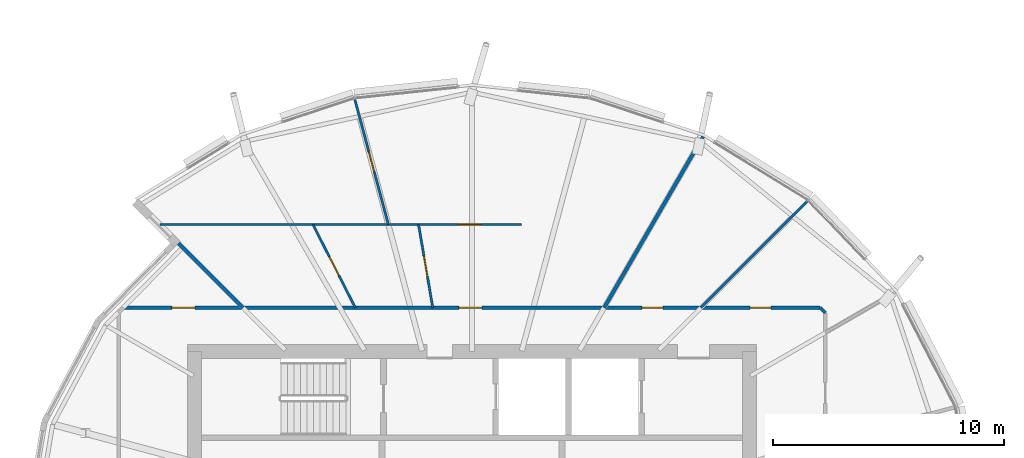
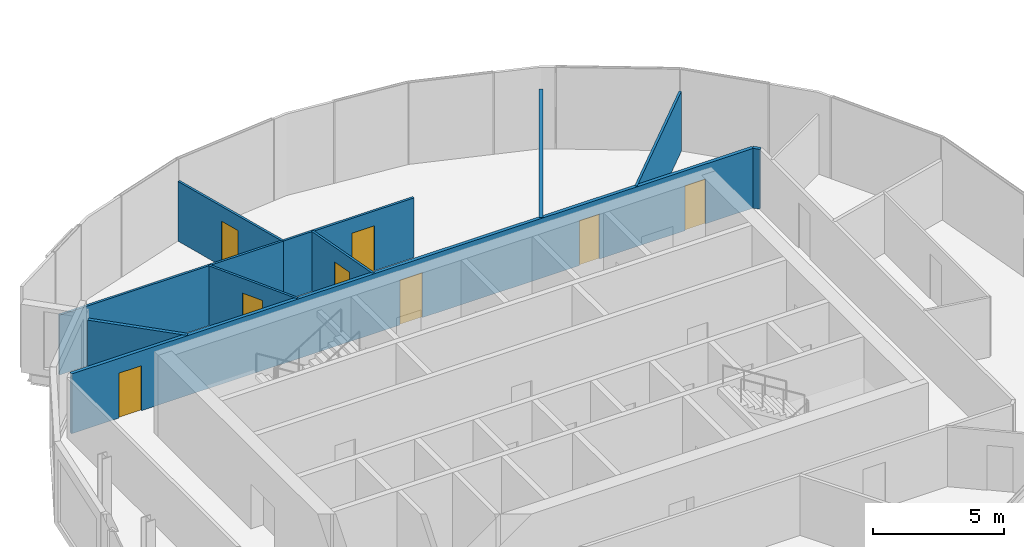
# One storey, part 21 of 38: 10 walls, 8 doors, 8 openings.
"""IFC4 building model written with IfcOpenShell, lengths in metres."""

import ifcopenshell
import ifcopenshell.guid

model = None  # the IFC model being written
_history = None  # IfcOwnerHistory: only IFC2X3 demands one
_inside = {}  # id of a spatial element -> (the spatial element, [elements in it])
_under = {}  # id of a project, library or spatial element -> (it, [spatial elements below it])
_declared = {}  # id of a project -> (the project, [libraries it declares])
_typed = {}  # id of a type object -> (the type object, [elements of that type])
_made_of = {}  # id of a material, layer set ... -> (it, [elements and type objects made of it])


def new_model(schema):
    """Start an empty IFC model of exactly this schema.

    Asked for "IFC4X3", IfcOpenShell would pick the latest addendum, in which some entities
    have other attributes; the version numbers below select the first issue.
    IFC2X3 requires an IfcOwnerHistory on every rooted entity: one is made here for all.
    """
    global model, _history
    if schema == "IFC4X3":
        model = ifcopenshell.file(schema_version=(4, 3, 0, 0))
    else:
        model = ifcopenshell.file(schema=schema)
    _inside.clear()
    _under.clear()
    _declared.clear()
    _typed.clear()
    _made_of.clear()
    _history = None
    if model.schema == "IFC2X3":
        org = make("IfcOrganization", Name="unknown")
        user = make(
            "IfcPersonAndOrganization",
            ThePerson=make("IfcPerson", FamilyName="unknown"),
            TheOrganization=org,
        )
        app = make(
            "IfcApplication",
            ApplicationDeveloper=org,
            Version="unknown",
            ApplicationFullName="unknown",
            ApplicationIdentifier="unknown",
        )
        _history = make(
            "IfcOwnerHistory",
            OwningUser=user,
            OwningApplication=app,
            ChangeAction="ADDED",
            CreationDate=0,
        )
    return model


def make(cls, **values):
    """One entity of the class cls with the attributes given. An attribute that is None is left unset."""
    return model.create_entity(
        cls, **{name: value for name, value in values.items() if value is not None}
    )


def rooted(cls, **values):
    """An entity with a GlobalId (a new one), such as an element, a storey or a relation."""
    return make(cls, GlobalId=ifcopenshell.guid.new(), OwnerHistory=_history, **values)


def si_unit(unit_type, name, prefix=None):
    """IfcSIUnit, for example si_unit("LENGTHUNIT", "METRE", prefix="MILLI")."""
    return make("IfcSIUnit", UnitType=unit_type, Prefix=prefix, Name=name)


def assignment(units):
    """IfcUnitAssignment: the units of a project."""
    return None if units is None else make("IfcUnitAssignment", Units=units)


def point(xyz):
    """IfcCartesianPoint."""
    return None if xyz is None else make("IfcCartesianPoint", Coordinates=xyz)


def direction(xyz):
    """IfcDirection."""
    return None if xyz is None else make("IfcDirection", DirectionRatios=xyz)


def frame(location, z_axis=None, x_axis=None):
    """IfcAxis2Placement3D, a coordinate frame: its origin and axes. An axis left out is left unset."""
    return make(
        "IfcAxis2Placement3D",
        Location=point(location),
        Axis=direction(z_axis),
        RefDirection=direction(x_axis),
    )


def frame_2d(location, x_axis=None):
    """IfcAxis2Placement2D, a coordinate frame in the plane: its origin and x axis."""
    return make(
        "IfcAxis2Placement2D", Location=point(location), RefDirection=direction(x_axis)
    )


def origin():
    """The frame at (0, 0, 0) with its axes left unset."""
    return frame((0.0, 0.0, 0.0))


def place(relative_to, where):
    """IfcLocalPlacement: puts the frame where relative to a parent placement (None: the world)."""
    return make(
        "IfcLocalPlacement", PlacementRelTo=relative_to, RelativePlacement=where
    )


def context(
    kind, dimensions, precision=None, world=None, true_north=None, identifier=None
):
    """IfcGeometricRepresentationContext, for example the 3D "Model" context."""
    return make(
        "IfcGeometricRepresentationContext",
        ContextIdentifier=identifier,
        ContextType=kind,
        CoordinateSpaceDimension=dimensions,
        Precision=precision,
        WorldCoordinateSystem=world,
        TrueNorth=true_north,
    )


def subcontext(parent, identifier, kind, view, scale=None):
    """IfcGeometricRepresentationSubContext, for example "Body" below "Model"."""
    return make(
        "IfcGeometricRepresentationSubContext",
        ContextIdentifier=identifier,
        ContextType=kind,
        ParentContext=parent,
        TargetScale=scale,
        TargetView=view,
    )


def project(units=None, contexts=None):
    """IfcProject with its units and contexts."""
    return rooted(
        "IfcProject",
        Name="project",
        RepresentationContexts=contexts,
        UnitsInContext=assignment(units),
    )


def spatial(cls, under=None, at=None, **own):
    """A site, building, storey or space (cls), placed at a placement, below another one or the project."""
    s = rooted(cls, ObjectPlacement=at, **own)
    if under is not None:
        _under.setdefault(under.id(), (under, []))[1].append(s)
    return s


def profile(cls, at=None, kind="AREA", **sizes):
    """A parametric profile (cls). Its sizes go by their IFC names, for example OverallWidth=200.0."""
    return make(cls, ProfileType=kind, Position=at, **sizes)


def rectangle(**sizes):
    """IfcRectangleProfileDef."""
    return profile("IfcRectangleProfileDef", **sizes)


def extrude(swept, where, along, depth):
    """IfcExtrudedAreaSolid: the profile swept, set in the frame where, extruded along a direction by depth."""
    return make(
        "IfcExtrudedAreaSolid",
        SweptArea=swept,
        Position=where,
        ExtrudedDirection=direction(along),
        Depth=depth,
    )


def shape(context_of_items, identifier, shape_type, items):
    """IfcShapeRepresentation: the items that make up one representation, for example the "Body"."""
    return make(
        "IfcShapeRepresentation",
        ContextOfItems=context_of_items,
        RepresentationIdentifier=identifier,
        RepresentationType=shape_type,
        Items=items,
    )


def material(Name=None, Category=None):
    """IfcMaterial."""
    return make("IfcMaterial", Name=Name, Category=Category)


def layer(
    of_material, thickness, ventilated=None, Name=None, Category=None, Priority=None
):
    """IfcMaterialLayer: one layer of a wall or slab, of a material (None: an air gap)."""
    return make(
        "IfcMaterialLayer",
        Material=of_material,
        LayerThickness=thickness,
        IsVentilated=ventilated,
        Name=Name,
        Category=Category,
        Priority=Priority,
    )


def layer_set(layers, Name=None):
    """IfcMaterialLayerSet."""
    return make("IfcMaterialLayerSet", MaterialLayers=layers, LayerSetName=Name)


def made_of(thing, what):
    """Note that an element or type object is made of a material, layer set ...; save() writes the relation."""
    if what is not None:
        _made_of.setdefault(what.id(), (what, []))[1].append(thing)
    return thing


def type_object(cls, material=None, **own):
    """A type object (cls), such as IfcWallType, which elements share."""
    return made_of(rooted(cls, **own), material)


def element(
    cls,
    number,
    at=None,
    inside=None,
    cuts=None,
    type_object=None,
    material=None,
    context=None,
    identifier="Body",
    shape_type=None,
    held_by="IfcProductDefinitionShape",
    body=None,
    shapes=None,
    **own,
):
    """One element of the class cls, such as IfcWall. Its Tag is "e" and its number.

    at: its placement. inside: the storey or other place that contains it. cuts: it is an
    opening in that element (IfcRelVoidsElement). A single representation is given by context,
    identifier, shape_type and body (its items); several are given by shapes. held_by: the class
    of the entity that holds the representations. save() writes the other relations.
    """
    e = rooted(cls, Tag="e%d" % number, ObjectPlacement=at, **own)
    if body is not None:
        shapes = [shape(context, identifier, shape_type, body)]
    if shapes is not None:
        e.Representation = make(held_by, Representations=shapes)
    if inside is not None:
        _inside.setdefault(inside.id(), (inside, []))[1].append(e)
    if cuts is not None:
        rooted(
            "IfcRelVoidsElement", RelatingBuildingElement=cuts, RelatedOpeningElement=e
        )
    if type_object is not None:
        _typed.setdefault(type_object.id(), (type_object, []))[1].append(e)
    return made_of(e, material)


def fill(opening, filler):
    """IfcRelFillsElement: the door or window that sits in an opening."""
    return rooted(
        "IfcRelFillsElement",
        RelatingOpeningElement=opening,
        RelatedBuildingElement=filler,
    )


def aggregate(whole, parts):
    """IfcRelAggregates: a whole, such as a stair, and the parts it consists of."""
    return rooted("IfcRelAggregates", RelatingObject=whole, RelatedObjects=parts)


def save(model, path):
    """Write the relations noted so far, then the file.

    IfcRelAggregates (storeys below a building ...), IfcRelContainedInSpatialStructure (elements
    in a storey), IfcRelDefinesByType, IfcRelAssociatesMaterial and IfcRelDeclares: one each for
    every whole, place, type object, material and project.
    """
    for whole, parts in _under.values():
        aggregate(whole, parts)
    for where, things in _inside.values():
        rooted(
            "IfcRelContainedInSpatialStructure",
            RelatedElements=things,
            RelatingStructure=where,
        )
    for kind, things in _typed.values():
        rooted("IfcRelDefinesByType", RelatedObjects=things, RelatingType=kind)
    for what, things in _made_of.values():
        rooted("IfcRelAssociatesMaterial", RelatedObjects=things, RelatingMaterial=what)
    for by, libraries in _declared.values():
        rooted("IfcRelDeclares", RelatingContext=by, RelatedDefinitions=libraries)
    model.write(path)


model = new_model("IFC4")

# Units and contexts
model_context = context("Model", 3, precision=1e-05, world=origin(), true_north=direction((0.0, 1.0)))
body_context = subcontext(model_context, "Body", "Model", "MODEL_VIEW")
ifc_project = project(units=[si_unit("LENGTHUNIT", "METRE"), si_unit("AREAUNIT", "SQUARE_METRE"), si_unit("VOLUMEUNIT", "CUBIC_METRE"), si_unit("PLANEANGLEUNIT", "RADIAN"), si_unit("MASSUNIT", "GRAM", prefix="KILO")], contexts=[model_context])

# Site, building, storey
site_placement = place(None, origin())
site = spatial("IfcSite", under=ifc_project, at=site_placement, CompositionType="ELEMENT")
building_placement = place(site_placement, origin())
building = spatial("IfcBuilding", under=site, at=building_placement, Name="Rimbun Link Towers", CompositionType="ELEMENT")
storey_placement = place(building_placement, frame((0.0, 0.0, 185.5)))
storey = spatial("IfcBuildingStorey", under=building, at=storey_placement, Name="L45", CompositionType="ELEMENT", Elevation=185.5)

# Wall, openings, doors
ifc_material_1 = material(Name="Plasterboard on steel stud, mineral wool", Category="steel")
ifc_layer_1 = layer(ifc_material_1, 0.14990234375)
ifc_layer_set_1 = layer_set([ifc_layer_1], Name="Corridor wall EI 30 150 mm")
wall_type_1 = type_object("IfcWallType", Name="Corridor wall EI 30 150 mm", PredefinedType="PARTITIONING", material=ifc_layer_set_1)
wall_1_placement = place(storey_placement, frame((-46.8037109375, 9.89501953125, 0.0), z_axis=(0.0, 0.0, 1.0), x_axis=(1.0, 0.0, 0.0)))
wall_1 = element("IfcWall", 1, at=wall_1_placement, inside=storey, type_object=wall_type_1, Name="Corridor wall EI 30 150 mm", PredefinedType="PARTITIONING", context=body_context, shape_type="SweptSolid", body=[
    extrude(rectangle(XDim=30.107421875, YDim=0.14990234375, at=frame_2d((15.0537109375, 0.0))), origin(), (0.0, 0.0, 1.0), 2.7890625),
])
opening_1_placement = place(wall_1_placement, frame((27.078125, 0.0, 0.0)))
opening_1 = element("IfcOpeningElement", 2, at=opening_1_placement, cuts=wall_1, Name="Opening D02", PredefinedType="OPENING", context=body_context, shape_type="SweptSolid", body=[
    extrude(rectangle(XDim=0.89990234375, YDim=2.10009765625, at=frame_2d((0.449951171875, 1.050048828125))), frame((0.0, 0.0849609375, 0.0), z_axis=(0.0, -1.0, 0.0), x_axis=(1.0, 0.0, 0.0)), (0.0, 0.0, 1.0), 0.169921875),
])
opening_2_placement = place(wall_1_placement, frame((22.40771484375, 0.0, 0.0)))
opening_2 = element("IfcOpeningElement", 3, at=opening_2_placement, cuts=wall_1, Name="Opening D02", PredefinedType="OPENING", context=body_context, shape_type="SweptSolid", body=[
    extrude(rectangle(XDim=0.89990234375, YDim=2.10009765625, at=frame_2d((0.449951171875, 1.050048828125))), frame((0.0, 0.0849609375, 0.0), z_axis=(0.0, -1.0, 0.0), x_axis=(1.0, 0.0, 0.0)), (0.0, 0.0, 1.0), 0.169921875),
])
opening_3_placement = place(wall_1_placement, frame((14.48291015625, 0.0, 0.0)))
opening_3 = element("IfcOpeningElement", 4, at=opening_3_placement, cuts=wall_1, Name="Opening D01", PredefinedType="OPENING", context=body_context, shape_type="SweptSolid", body=[
    extrude(rectangle(XDim=1.0, YDim=2.10009765625, at=frame_2d((0.5, 1.050048828125))), frame((0.0, 0.0849609375, 0.0), z_axis=(0.0, -1.0, 0.0), x_axis=(1.0, 0.0, 0.0)), (0.0, 0.0, 1.0), 0.169921875),
])
opening_4_placement = place(wall_1_placement, frame((2.079345703125, 0.0, 0.0)))
opening_4 = element("IfcOpeningElement", 5, at=opening_4_placement, cuts=wall_1, Name="Opening D01", PredefinedType="OPENING", context=body_context, shape_type="SweptSolid", body=[
    extrude(rectangle(XDim=1.0, YDim=2.10009765625, at=frame_2d((0.5, 1.050048828125))), frame((0.0, 0.0849609375, 0.0), z_axis=(0.0, -1.0, 0.0), x_axis=(1.0, 0.0, 0.0)), (0.0, 0.0, 1.0), 0.169921875),
])
ifc_material_2 = material(Name="Fire-resisting timber door leaf", Category="wood")
door_type_1 = type_object("IfcDoorType", Name="Fire door FD30S 1000", OperationType="NOTDEFINED", PredefinedType="DOOR", material=ifc_material_2)
door_1_placement = place(opening_3_placement, origin())
door_1 = element("IfcDoor", 6, at=door_1_placement, inside=storey, type_object=door_type_1, Name="Fire door FD30S 1000 to Tenant lobby", OperationType="SINGLE_SWING_RIGHT", OverallHeight=2.10009765625, OverallWidth=1.0, PredefinedType="DOOR", context=body_context, shape_type="SweptSolid", body=[
    extrude(rectangle(XDim=1.0, YDim=2.10009765625, at=frame_2d((0.5, 1.050048828125))), frame((0.0, 0.02490234375, 0.0), z_axis=(0.0, -1.0, 0.0), x_axis=(1.0, 0.0, 0.0)), (0.0, 0.0, 1.0), 0.050048828125),
])
fill(opening_3, door_1)
door_2_placement = place(opening_4_placement, origin())
door_2 = element("IfcDoor", 7, at=door_2_placement, inside=storey, type_object=door_type_1, Name="Fire door FD30S 1000 to Terrace office", OperationType="SINGLE_SWING_LEFT", OverallHeight=2.10009765625, OverallWidth=1.0, PredefinedType="DOOR", context=body_context, shape_type="SweptSolid", body=[
    extrude(rectangle(XDim=1.0, YDim=2.10009765625, at=frame_2d((0.5, 1.050048828125))), frame((0.0, 0.02490234375, 0.0), z_axis=(0.0, -1.0, 0.0), x_axis=(1.0, 0.0, 0.0)), (0.0, 0.0, 1.0), 0.050048828125),
])
fill(opening_4, door_2)
ifc_material_3 = material(Name="Fire-resisting timber door leaf", Category="wood")
door_type_2 = type_object("IfcDoorType", Name="Fire door FD30S 900", OperationType="NOTDEFINED", PredefinedType="DOOR", material=ifc_material_3)
door_3_placement = place(opening_1_placement, origin())
door_3 = element("IfcDoor", 8, at=door_3_placement, inside=storey, type_object=door_type_2, Name="Fire door FD30S 900 to Meeting room", OperationType="SINGLE_SWING_RIGHT", OverallHeight=2.10009765625, OverallWidth=0.89990234375, PredefinedType="DOOR", context=body_context, shape_type="SweptSolid", body=[
    extrude(rectangle(XDim=0.89990234375, YDim=2.10009765625, at=frame_2d((0.449951171875, 1.050048828125))), frame((0.0, 0.02490234375, 0.0), z_axis=(0.0, -1.0, 0.0), x_axis=(1.0, 0.0, 0.0)), (0.0, 0.0, 1.0), 0.050048828125),
])
fill(opening_1, door_3)
door_4_placement = place(opening_2_placement, origin())
door_4 = element("IfcDoor", 9, at=door_4_placement, inside=storey, type_object=door_type_2, Name="Fire door FD30S 900 to Meeting room", OperationType="SINGLE_SWING_LEFT", OverallHeight=2.10009765625, OverallWidth=0.89990234375, PredefinedType="DOOR", context=body_context, shape_type="SweptSolid", body=[
    extrude(rectangle(XDim=0.89990234375, YDim=2.10009765625, at=frame_2d((0.449951171875, 1.050048828125))), frame((0.0, 0.02490234375, 0.0), z_axis=(0.0, -1.0, 0.0), x_axis=(1.0, 0.0, 0.0)), (0.0, 0.0, 1.0), 0.050048828125),
])
fill(opening_2, door_4)

# Walls
wall_2_placement = place(storey_placement, frame((-16.47509765625, 9.673583984375, 0.0), z_axis=(0.0, 0.0, 1.0), x_axis=(-0.706716653396, 0.707496693853, 0.0)))
element("IfcWall", 10, at=wall_2_placement, inside=storey, type_object=wall_type_1, Name="Corridor wall EI 30 150 mm", PredefinedType="PARTITIONING", context=body_context, shape_type="SweptSolid", body=[
    extrude(rectangle(XDim=0.31298828125, YDim=0.14990234375, at=frame_2d((0.156494140625, 0.0))), origin(), (0.0, 0.0, 1.0), 2.7890625),
])
ifc_material_4 = material(Name="Plasterboard on steel stud", Category="steel")
ifc_layer_2 = layer(ifc_material_4, 0.10009765625)
ifc_layer_set_2 = layer_set([ifc_layer_2], Name="Plasterboard partition 100 mm")
wall_type_2 = type_object("IfcWallType", Name="Plasterboard partition 100 mm", PredefinedType="PARTITIONING", material=ifc_layer_set_2)
wall_3_placement = place(storey_placement, frame((-17.230224609375, 14.519775390625, 0.0), z_axis=(0.0, 0.0, 1.0), x_axis=(-0.707106781187, -0.707106781187, 0.0)))
element("IfcWall", 11, at=wall_3_placement, inside=storey, type_object=wall_type_2, Name="Plasterboard partition 100 mm", PredefinedType="PARTITIONING", context=body_context, shape_type="SweptSolid", body=[
    extrude(rectangle(XDim=6.540283203125, YDim=0.10009765625, at=frame_2d((3.27001953125, 0.0))), origin(), (0.0, 0.0, 1.0), 2.7890625),
])

# Wall, opening, door
wall_4_placement = place(storey_placement, frame((-33.4443359375, 9.89501953125, 0.0), z_axis=(0.0, 0.0, 1.0), x_axis=(-0.168776431404, 0.985654359399, 0.0)))
wall_4 = element("IfcWall", 12, at=wall_4_placement, inside=storey, type_object=wall_type_2, Name="Plasterboard partition 100 mm", PredefinedType="PARTITIONING", context=body_context, shape_type="SweptSolid", body=[
    extrude(rectangle(XDim=3.652587890625, YDim=0.10009765625, at=frame_2d((1.826171875, 0.0))), origin(), (0.0, 0.0, 1.0), 2.7890625),
])
opening_5_placement = place(wall_4_placement, frame((1.376220703125, 0.0, 0.0)))
opening_5 = element("IfcOpeningElement", 13, at=opening_5_placement, cuts=wall_4, Name="Opening D04", PredefinedType="OPENING", context=body_context, shape_type="SweptSolid", body=[
    extrude(rectangle(XDim=0.89990234375, YDim=2.10009765625, at=frame_2d((0.449951171875, 1.050048828125))), frame((0.0, 0.06005859375, 0.0), z_axis=(0.0, -1.0, 0.0), x_axis=(1.0, 0.0, 0.0)), (0.0, 0.0, 1.0), 0.1201171875),
])
ifc_material_5 = material(Name="Timber door leaf", Category="wood")
door_type_3 = type_object("IfcDoorType", Name="Flush door 900", OperationType="NOTDEFINED", PredefinedType="DOOR", material=ifc_material_5)
door_5_placement = place(opening_5_placement, origin())
door_5 = element("IfcDoor", 14, at=door_5_placement, inside=storey, type_object=door_type_3, Name="Flush door 900 to Huddle room", OperationType="SINGLE_SWING_LEFT", OverallHeight=2.10009765625, OverallWidth=0.89990234375, PredefinedType="DOOR", context=body_context, shape_type="SweptSolid", body=[
    extrude(rectangle(XDim=0.89990234375, YDim=2.10009765625, at=frame_2d((0.449951171875, 1.050048828125))), frame((0.0, 0.02490234375, 0.0), z_axis=(0.0, -1.0, 0.0), x_axis=(1.0, 0.0, 0.0)), (0.0, 0.0, 1.0), 0.050048828125),
])
fill(opening_5, door_5)

wall_5_placement = place(storey_placement, frame((-35.365966796875, 13.4951171875, 0.0), z_axis=(0.0, 0.0, 1.0), x_axis=(1.0, 0.0, 0.0)))
wall_5 = element("IfcWall", 15, at=wall_5_placement, inside=storey, type_object=wall_type_2, Name="Plasterboard partition 100 mm", PredefinedType="PARTITIONING", context=body_context, shape_type="SweptSolid", body=[
    extrude(rectangle(XDim=5.763671875, YDim=0.10009765625, at=frame_2d((2.8818359375, 0.0))), origin(), (0.0, 0.0, 1.0), 2.7890625),
])
opening_6_placement = place(wall_5_placement, frame((3.01953125, 0.0, 0.0)))
opening_6 = element("IfcOpeningElement", 16, at=opening_6_placement, cuts=wall_5, Name="Opening D03", PredefinedType="OPENING", context=body_context, shape_type="SweptSolid", body=[
    extrude(rectangle(XDim=1.0, YDim=2.10009765625, at=frame_2d((0.5, 1.050048828125))), frame((0.0, 0.06005859375, 0.0), z_axis=(0.0, -1.0, 0.0), x_axis=(1.0, 0.0, 0.0)), (0.0, 0.0, 1.0), 0.1201171875),
])
ifc_material_6 = material(Name="Timber door leaf", Category="wood")
door_type_4 = type_object("IfcDoorType", Name="Flush door 1000", OperationType="NOTDEFINED", PredefinedType="DOOR", material=ifc_material_6)
door_6_placement = place(opening_6_placement, origin())
door_6 = element("IfcDoor", 17, at=door_6_placement, inside=storey, type_object=door_type_4, Name="Flush door 1000 to Open office", OperationType="SINGLE_SWING_RIGHT", OverallHeight=2.10009765625, OverallWidth=1.0, PredefinedType="DOOR", context=body_context, shape_type="SweptSolid", body=[
    extrude(rectangle(XDim=1.0, YDim=2.10009765625, at=frame_2d((0.5, 1.050048828125))), frame((0.0, 0.02490234375, 0.0), z_axis=(0.0, -1.0, 0.0), x_axis=(1.0, 0.0, 0.0)), (0.0, 0.0, 1.0), 0.050048828125),
])
fill(opening_6, door_6)

wall_6_placement = place(storey_placement, frame((-36.79248046875, 9.89501953125, 0.0), z_axis=(0.0, 0.0, 1.0), x_axis=(-0.454064259365, 0.890968937936, 0.0)))
wall_6 = element("IfcWall", 18, at=wall_6_placement, inside=storey, type_object=wall_type_2, Name="Plasterboard partition 100 mm", PredefinedType="PARTITIONING", context=body_context, shape_type="SweptSolid", body=[
    extrude(rectangle(XDim=4.040771484375, YDim=0.10009765625, at=frame_2d((2.0205078125, 0.0))), origin(), (0.0, 0.0, 1.0), 2.7890625),
])
opening_7_placement = place(wall_6_placement, frame((1.5703125, 0.0, 0.0)))
opening_7 = element("IfcOpeningElement", 19, at=opening_7_placement, cuts=wall_6, Name="Opening D04", PredefinedType="OPENING", context=body_context, shape_type="SweptSolid", body=[
    extrude(rectangle(XDim=0.89990234375, YDim=2.10009765625, at=frame_2d((0.449951171875, 1.050048828125))), frame((0.0, 0.06005859375, 0.0), z_axis=(0.0, -1.0, 0.0), x_axis=(1.0, 0.0, 0.0)), (0.0, 0.0, 1.0), 0.1201171875),
])
door_7_placement = place(opening_7_placement, origin())
door_7 = element("IfcDoor", 20, at=door_7_placement, inside=storey, type_object=door_type_3, Name="Flush door 900 to Huddle room", OperationType="SINGLE_SWING_LEFT", OverallHeight=2.10009765625, OverallWidth=0.89990234375, PredefinedType="DOOR", context=body_context, shape_type="SweptSolid", body=[
    extrude(rectangle(XDim=0.89990234375, YDim=2.10009765625, at=frame_2d((0.449951171875, 1.050048828125))), frame((0.0, 0.02490234375, 0.0), z_axis=(0.0, -1.0, 0.0), x_axis=(1.0, 0.0, 0.0)), (0.0, 0.0, 1.0), 0.050048828125),
])
fill(opening_7, door_7)

# Wall
wall_7_placement = place(storey_placement, frame((-35.365966796875, 13.4951171875, 0.0), z_axis=(0.0, 0.0, 1.0), x_axis=(-1.0, 0.0, 0.0)))
element("IfcWall", 21, at=wall_7_placement, inside=storey, type_object=wall_type_2, Name="Plasterboard partition 100 mm", PredefinedType="PARTITIONING", context=body_context, shape_type="SweptSolid", body=[
    extrude(rectangle(XDim=9.879150390625, YDim=0.10009765625, at=frame_2d((4.939453125, 0.0))), origin(), (0.0, 0.0, 1.0), 2.7890625),
])

# Wall, opening, door
wall_8_placement = place(storey_placement, frame((-35.365966796875, 13.4951171875, 0.0), z_axis=(0.0, 0.0, 1.0), x_axis=(-0.258823547375, 0.965924619897, 0.0)))
wall_8 = element("IfcWall", 22, at=wall_8_placement, inside=storey, type_object=wall_type_2, Name="Plasterboard partition 100 mm", PredefinedType="PARTITIONING", context=body_context, shape_type="SweptSolid", body=[
    extrude(rectangle(XDim=5.62744140625, YDim=0.10009765625, at=frame_2d((2.813720703125, 0.0))), origin(), (0.0, 0.0, 1.0), 2.7890625),
])
opening_8_placement = place(wall_8_placement, frame((2.36376953125, 0.0, 0.0)))
opening_8 = element("IfcOpeningElement", 23, at=opening_8_placement, cuts=wall_8, Name="Opening D04", PredefinedType="OPENING", context=body_context, shape_type="SweptSolid", body=[
    extrude(rectangle(XDim=0.89990234375, YDim=2.10009765625, at=frame_2d((0.449951171875, 1.050048828125))), frame((0.0, 0.06005859375, 0.0), z_axis=(0.0, -1.0, 0.0), x_axis=(1.0, 0.0, 0.0)), (0.0, 0.0, 1.0), 0.1201171875),
])
door_8_placement = place(opening_8_placement, origin())
door_8 = element("IfcDoor", 24, at=door_8_placement, inside=storey, type_object=door_type_3, Name="Flush door 900 to Project room", OperationType="SINGLE_SWING_LEFT", OverallHeight=2.10009765625, OverallWidth=0.89990234375, PredefinedType="DOOR", context=body_context, shape_type="SweptSolid", body=[
    extrude(rectangle(XDim=0.89990234375, YDim=2.10009765625, at=frame_2d((0.449951171875, 1.050048828125))), frame((0.0, 0.02490234375, 0.0), z_axis=(0.0, -1.0, 0.0), x_axis=(1.0, 0.0, 0.0)), (0.0, 0.0, 1.0), 0.050048828125),
])
fill(opening_8, door_8)

# Walls
ifc_material_7 = material(Name="Plasterboard on steel stud, mineral wool", Category="steel")
ifc_layer_3 = layer(ifc_material_7, 0.14990234375)
ifc_layer_set_3 = layer_set([ifc_layer_3], Name="Tenancy separation wall EI 60 150 mm")
wall_type_3 = type_object("IfcWallType", Name="Tenancy separation wall EI 60 150 mm", PredefinedType="PARTITIONING", material=ifc_layer_set_3)
wall_9_placement = place(storey_placement, frame((-26.037109375, 9.89501953125, 0.0), z_axis=(0.0, 0.0, 1.0), x_axis=(0.499998391746, 0.866026332309, 0.0)))
element("IfcWall", 25, at=wall_9_placement, inside=storey, type_object=wall_type_3, Name="Tenancy separation wall EI 60 150 mm", PredefinedType="PARTITIONING", context=body_context, shape_type="SweptSolid", body=[
    extrude(rectangle(XDim=8.55224609375, YDim=0.14990234375, at=frame_2d((4.276123046875, 0.0))), origin(), (0.0, 0.0, 1.0), 2.7890625),
])
wall_10_placement = place(storey_placement, frame((-41.64501953125, 9.89501953125, 0.0), z_axis=(0.0, 0.0, 1.0), x_axis=(-0.707106781187, 0.707106781187, 0.0)))
element("IfcWall", 26, at=wall_10_placement, inside=storey, type_object=wall_type_3, Name="Tenancy separation wall EI 60 150 mm", PredefinedType="PARTITIONING", context=body_context, shape_type="SweptSolid", body=[
    extrude(rectangle(XDim=3.9404296875, YDim=0.14990234375, at=frame_2d((1.97021484375, 0.0))), origin(), (0.0, 0.0, 1.0), 2.7890625),
])

save(model, "model.ifc")
